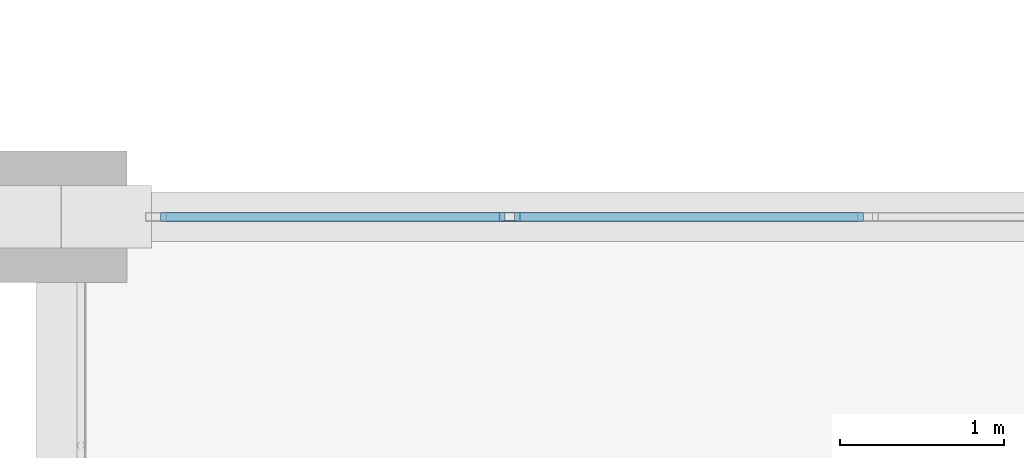
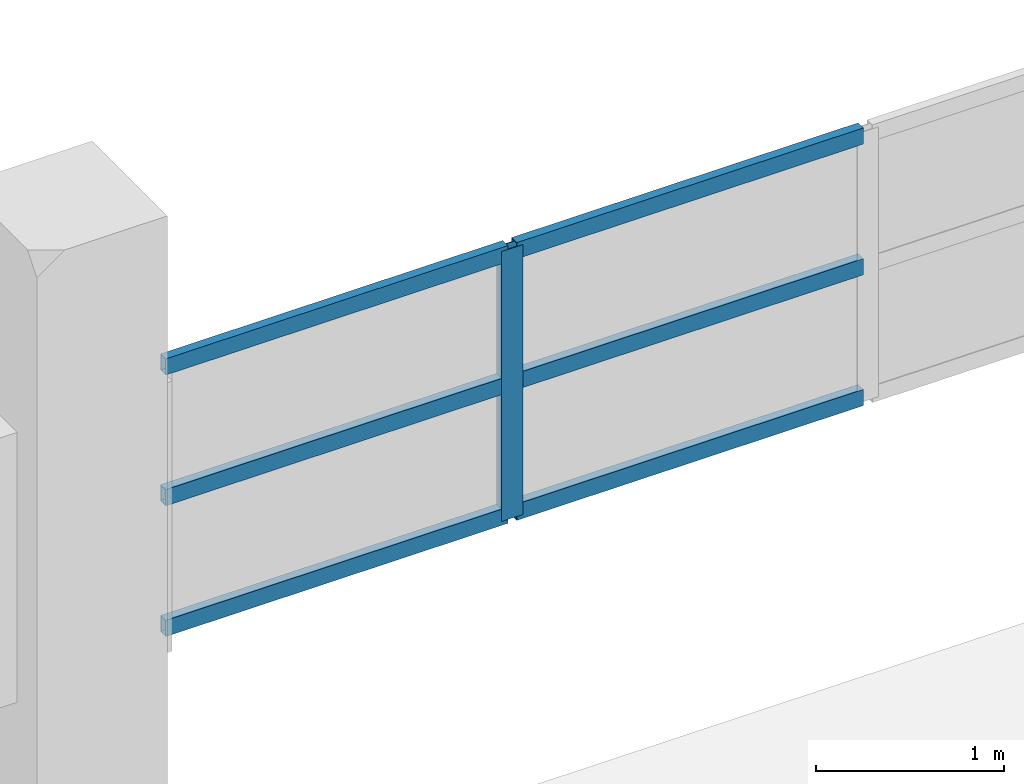
# One storey, part 60 of 86: 7 members, 1 element without a shape of its own.
"""IFC4 building model written with IfcOpenShell, lengths in metres."""

from ifc_helpers import new_model, si_unit, direction, frame, origin, origin_2d, place, context, subcontext, project, spatial, hollow_rectangle, extrude, material, layer, layer_set, material_profile, profile_set, type_object, element, aggregate, save


model = new_model("IFC4")

# Units and contexts
model_context = context("Model", 3, precision=1e-05, world=origin(), true_north=direction((0.0, 1.0)))
body_context = subcontext(model_context, "Body", "Model", "MODEL_VIEW")
ifc_project = project(units=[si_unit("LENGTHUNIT", "METRE"), si_unit("AREAUNIT", "SQUARE_METRE"), si_unit("VOLUMEUNIT", "CUBIC_METRE"), si_unit("PLANEANGLEUNIT", "RADIAN"), si_unit("MASSUNIT", "GRAM", prefix="KILO")], contexts=[model_context])

# Site, building, storey
site_placement = place(None, origin())
site = spatial("IfcSite", under=ifc_project, at=site_placement, CompositionType="ELEMENT")
building_placement = place(site_placement, origin())
building = spatial("IfcBuilding", under=site, at=building_placement, Name="Zilviju Railside Exhibition Hall", CompositionType="ELEMENT")
storey_placement = place(building_placement, frame((0.0, 0.0, 12.60009765625)))
storey = spatial("IfcBuildingStorey", under=building, at=storey_placement, Name="L04", CompositionType="ELEMENT", Elevation=12.60009765625)

# Curtain wall, members
ifc_material_1 = material(Name="Thermally broken aluminium-steel triple-glazed curtain wall", Category="steel")
ifc_layer = layer(ifc_material_1, 0.179931640625)
ifc_layer_set = layer_set([ifc_layer], Name="Thermally broken aluminium-steel triple-glazed curtain wall")
curtain_wall_type = type_object("IfcCurtainWallType", Name="CW-BAY-08", PredefinedType="USERDEFINED", material=ifc_layer_set)
curtain_wall_placement = place(storey_placement, origin())
curtain_wall = element("IfcCurtainWall", 1, at=curtain_wall_placement, inside=storey, type_object=curtain_wall_type, Name="North Hall Clerestory Curtain Wall L04 (156..168)", ObjectType="GLAZED CURTAIN WALL", PredefinedType="USERDEFINED")
ifc_material_2 = material(Name="Thermally broken anodized aluminium mullion", Category="aluminium")
ifc_material_profile_1 = material_profile(ifc_material_2, hollow_rectangle(XDim=0.054931640625, YDim=0.1298828125, WallThickness=0.0048828125, at=origin_2d()), Name="MULLION 130x55x5")
ifc_profile_set_1 = profile_set([ifc_material_profile_1], Name="Thermally broken anodized aluminium mullion")
member_type_1 = type_object("IfcMemberType", Name="CWM-55x130", PredefinedType="MULLION", material=ifc_profile_set_1)
member_1_placement = place(storey_placement, frame((158.72998046875, 138.0, 1.7998046875), z_axis=(0.0, 0.0, 1.0), x_axis=(0.0, 1.0, 0.0)))
member_1 = element("IfcMember", 2, at=member_1_placement, type_object=member_type_1, Name="CW-08 mullion 2", PredefinedType="MULLION", context=body_context, shape_type="SweptSolid", body=[
    extrude(hollow_rectangle(XDim=0.054931640625, YDim=0.1298828125, WallThickness=0.0048828125, at=origin_2d()), origin(), (0.0, 0.0, 1.0), 1.75),
])
ifc_material_3 = material(Name="Thermally broken anodized aluminium transom", Category="aluminium")
ifc_material_profile_2 = material_profile(ifc_material_3, hollow_rectangle(XDim=0.054931640625, YDim=0.10498046875, WallThickness=0.0048828125, at=origin_2d()), Name="TRANSOM 105x55x5")
ifc_profile_set_2 = profile_set([ifc_material_profile_2], Name="Thermally broken anodized aluminium transom")
member_type_2 = type_object("IfcMemberType", Name="CWT-55x105", PredefinedType="USERDEFINED", material=ifc_profile_set_2)
member_2_placement = place(storey_placement, frame((156.60498046875, 138.0, 1.827392578125), z_axis=(1.0, 0.0, 0.0), x_axis=(0.0, 1.0, 0.0)))
member_2 = element("IfcMember", 3, at=member_2_placement, type_object=member_type_2, Name="CW-08 transom 1.1", ObjectType="TRANSOM", PredefinedType="USERDEFINED", context=body_context, shape_type="SweptSolid", body=[
    extrude(hollow_rectangle(XDim=0.054931640625, YDim=0.10498046875, WallThickness=0.0048828125, at=origin_2d()), origin(), (0.0, 0.0, 1.0), 2.097412109375),
])
member_3_placement = place(storey_placement, frame((156.60498046875, 138.0, 2.6748046875), z_axis=(1.0, 0.0, 0.0), x_axis=(0.0, 1.0, 0.0)))
member_3 = element("IfcMember", 4, at=member_3_placement, type_object=member_type_2, Name="CW-08 transom 1.2", ObjectType="TRANSOM", PredefinedType="USERDEFINED", context=body_context, shape_type="SweptSolid", body=[
    extrude(hollow_rectangle(XDim=0.054931640625, YDim=0.10498046875, WallThickness=0.0048828125, at=origin_2d()), origin(), (0.0, 0.0, 1.0), 2.097412109375),
])
member_4_placement = place(storey_placement, frame((156.60498046875, 138.0, 3.5224609375), z_axis=(1.0, 0.0, 0.0), x_axis=(0.0, 1.0, 0.0)))
member_4 = element("IfcMember", 5, at=member_4_placement, type_object=member_type_2, Name="CW-08 transom 1.3", ObjectType="TRANSOM", PredefinedType="USERDEFINED", context=body_context, shape_type="SweptSolid", body=[
    extrude(hollow_rectangle(XDim=0.054931640625, YDim=0.10498046875, WallThickness=0.0048828125, at=origin_2d()), origin(), (0.0, 0.0, 1.0), 2.097412109375),
])
member_5_placement = place(storey_placement, frame((158.757568359375, 138.0, 1.827392578125), z_axis=(1.0, 0.0, 0.0), x_axis=(0.0, 1.0, 0.0)))
member_5 = element("IfcMember", 6, at=member_5_placement, type_object=member_type_2, Name="CW-08 transom 2.1", ObjectType="TRANSOM", PredefinedType="USERDEFINED", context=body_context, shape_type="SweptSolid", body=[
    extrude(hollow_rectangle(XDim=0.054931640625, YDim=0.10498046875, WallThickness=0.0048828125, at=origin_2d()), origin(), (0.0, 0.0, 1.0), 2.125),
])
member_6_placement = place(storey_placement, frame((158.757568359375, 138.0, 2.6748046875), z_axis=(1.0, 0.0, 0.0), x_axis=(0.0, 1.0, 0.0)))
member_6 = element("IfcMember", 7, at=member_6_placement, type_object=member_type_2, Name="CW-08 transom 2.2", ObjectType="TRANSOM", PredefinedType="USERDEFINED", context=body_context, shape_type="SweptSolid", body=[
    extrude(hollow_rectangle(XDim=0.054931640625, YDim=0.10498046875, WallThickness=0.0048828125, at=origin_2d()), origin(), (0.0, 0.0, 1.0), 2.125),
])
member_7_placement = place(storey_placement, frame((158.757568359375, 138.0, 3.5224609375), z_axis=(1.0, 0.0, 0.0), x_axis=(0.0, 1.0, 0.0)))
member_7 = element("IfcMember", 8, at=member_7_placement, type_object=member_type_2, Name="CW-08 transom 2.3", ObjectType="TRANSOM", PredefinedType="USERDEFINED", context=body_context, shape_type="SweptSolid", body=[
    extrude(hollow_rectangle(XDim=0.054931640625, YDim=0.10498046875, WallThickness=0.0048828125, at=origin_2d()), origin(), (0.0, 0.0, 1.0), 2.125),
])
aggregate(curtain_wall, [member_1, member_2, member_3, member_4, member_5, member_6, member_7])

save(model, "model.ifc")
